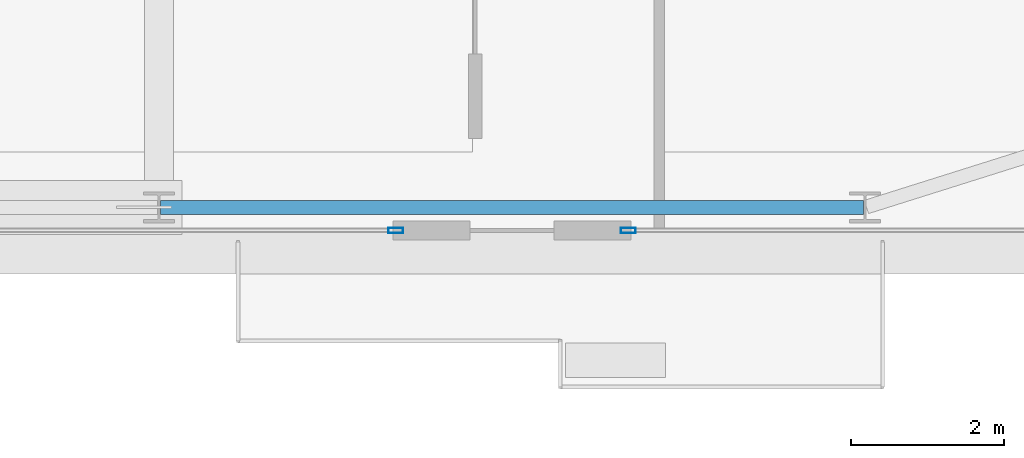
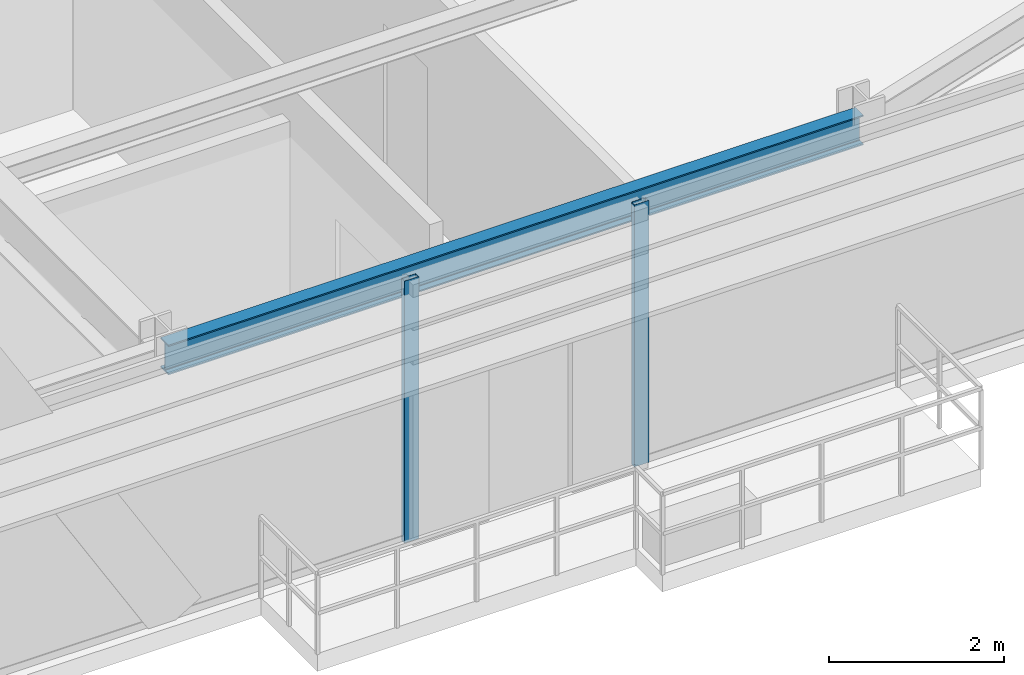
# One storey, part 13 of 32: 2 members, 1 beam, 2 elements without a shape of their own.
"""IFC4 building model written with IfcOpenShell, lengths in metres."""

from ifc_helpers import new_model, si_unit, direction, frame, origin, origin_2d, place, context, subcontext, project, spatial, hollow_rectangle, i_section, extrude, source, transform, mapped, material, layer, layer_set, material_profile, profile_set, type_object, type_shapes, element, aggregate, save


model = new_model("IFC4")

# Units and contexts
model_context = context("Model", 3, precision=1e-05, world=origin(), true_north=direction((0.0, 1.0)))
body_context = subcontext(model_context, "Body", "Model", "MODEL_VIEW")
ifc_project = project(units=[si_unit("LENGTHUNIT", "METRE"), si_unit("AREAUNIT", "SQUARE_METRE"), si_unit("VOLUMEUNIT", "CUBIC_METRE"), si_unit("PLANEANGLEUNIT", "RADIAN"), si_unit("MASSUNIT", "GRAM", prefix="KILO")], contexts=[model_context])

# Site, building, storey
site_placement = place(None, origin())
site = spatial("IfcSite", under=ifc_project, at=site_placement, CompositionType="ELEMENT")
building_placement = place(site_placement, origin())
building = spatial("IfcBuilding", under=site, at=building_placement, Name="Varnel Quay Broadcast Tower", CompositionType="ELEMENT")
storey_placement = place(building_placement, frame((0.0, 0.0, 43.199951171875)))
storey = spatial("IfcBuildingStorey", under=building, at=storey_placement, Name="L09", CompositionType="ELEMENT", Elevation=43.199951171875)

# Beam
ifc_material_1 = material(Name="Structural Steel CSA G40.21 350W", Category="steel")
ifc_material_profile_1 = material_profile(ifc_material_1, i_section(OverallWidth=0.180908203125, OverallDepth=0.4169921875, WebThickness=0.010986328125, FlangeThickness=0.018310546875, FilletRadius=0.011962890625, at=origin_2d()), Name="W410X85")
ifc_profile_set_1 = profile_set([ifc_material_profile_1], Name="Structural Steel CSA G40.21 350W")
beam_type = type_object("IfcBeamType", Name="Beam_W410X85", PredefinedType="SPANDREL", material=ifc_profile_set_1)
shared_shape_1 = source(origin(), body_context, "Body", "SweptSolid", [
    extrude(i_section(OverallWidth=0.180908203125, OverallDepth=0.4169921875, WebThickness=0.010986328125, FlangeThickness=0.018310546875, FilletRadius=0.011962890625, at=origin_2d()), origin(), (0.0, 0.0, 1.0), 9.159912109375),
])
type_shapes(beam_type, [shared_shape_1])
beam_placement = place(storey_placement, frame((43.219970703125, 1.64990234375, 3.441650390625), z_axis=(1.0, 0.0, 0.0), x_axis=(0.0, 1.0, 0.0)))
element("IfcBeam", 1, at=beam_placement, inside=storey, type_object=beam_type, Name="L09 South Spandrel TC-S4-TC-S5", PredefinedType="SPANDREL", context=body_context, shape_type="MappedRepresentation", body=[
    mapped(shared_shape_1, transform((0.0, 0.0, 0.0), x_axis=(1.0, 0.0, 0.0), y_axis=(0.0, 1.0, 0.0), z_axis=(0.0, 0.0, 1.0), scale=1.0)),
])

# Curtain wall, member
ifc_material_2 = material(Name="Anodised Bronze Aluminium 6063-T6", Category="aluminium")
ifc_layer = layer(ifc_material_2, 0.18994140625, Name="Anodised Bronze Aluminium 6063-T6")
ifc_layer_set = layer_set([ifc_layer], Name="Anodised Bronze Aluminium 6063-T6")
curtain_wall_type = type_object("IfcCurtainWallType", Name="CW_LowerTower", PredefinedType="NOTDEFINED", material=ifc_layer_set)
curtain_wall_1_placement = place(storey_placement, origin())
curtain_wall_1 = element("IfcCurtainWall", 2, at=curtain_wall_1_placement, inside=storey, type_object=curtain_wall_type, Name="L09 South Unitised Curtain Wall 2", PredefinedType="NOTDEFINED")
ifc_material_profile_2 = material_profile(ifc_material_2, hollow_rectangle(XDim=0.070068359375, YDim=0.18994140625, WallThickness=0.00390625, at=origin_2d()), Name="ALU70X190X4")
ifc_profile_set_2 = profile_set([ifc_material_profile_2], Name="Anodised Bronze Aluminium 6063-T6")
member_type = type_object("IfcMemberType", Name="Mull_CWS-02", PredefinedType="MULLION", material=ifc_profile_set_2)
shared_shape_2 = source(origin(), body_context, "Body", "SweptSolid", [
    extrude(hollow_rectangle(XDim=0.070068359375, YDim=0.18994140625, WallThickness=0.00390625, at=origin_2d()), origin(), (0.0, 0.0, 1.0), 3.650146484375),
])
type_shapes(member_type, [shared_shape_2])
member_1_placement = place(storey_placement, frame((46.284912109375, 1.35009765625, 0.0), z_axis=(0.0, 0.0, 1.0), x_axis=(0.0, 1.0, 0.0)))
member_1 = element("IfcMember", 3, at=member_1_placement, type_object=member_type, Name="CWS-02 mullion 3", PredefinedType="MULLION", context=body_context, shape_type="MappedRepresentation", body=[
    mapped(shared_shape_2, transform((0.0, 0.0, 0.0), x_axis=(1.0, 0.0, 0.0), y_axis=(0.0, 1.0, 0.0), z_axis=(0.0, 0.0, 1.0), scale=1.0)),
])
aggregate(curtain_wall_1, [member_1])

curtain_wall_2_placement = place(storey_placement, origin())
curtain_wall_2 = element("IfcCurtainWall", 4, at=curtain_wall_2_placement, inside=storey, type_object=curtain_wall_type, Name="L09 South Unitised Curtain Wall 3", PredefinedType="NOTDEFINED")
member_2_placement = place(storey_placement, frame((49.31494140625, 1.35009765625, 0.0), z_axis=(0.0, 0.0, 1.0), x_axis=(0.0, 1.0, 0.0)))
member_2 = element("IfcMember", 5, at=member_2_placement, type_object=member_type, Name="CWS-02 mullion 1", PredefinedType="MULLION", context=body_context, shape_type="MappedRepresentation", body=[
    mapped(shared_shape_2, transform((0.0, 0.0, 0.0), x_axis=(1.0, 0.0, 0.0), y_axis=(0.0, 1.0, 0.0), z_axis=(0.0, 0.0, 1.0), scale=1.0)),
])
aggregate(curtain_wall_2, [member_2])

save(model, "model.ifc")
